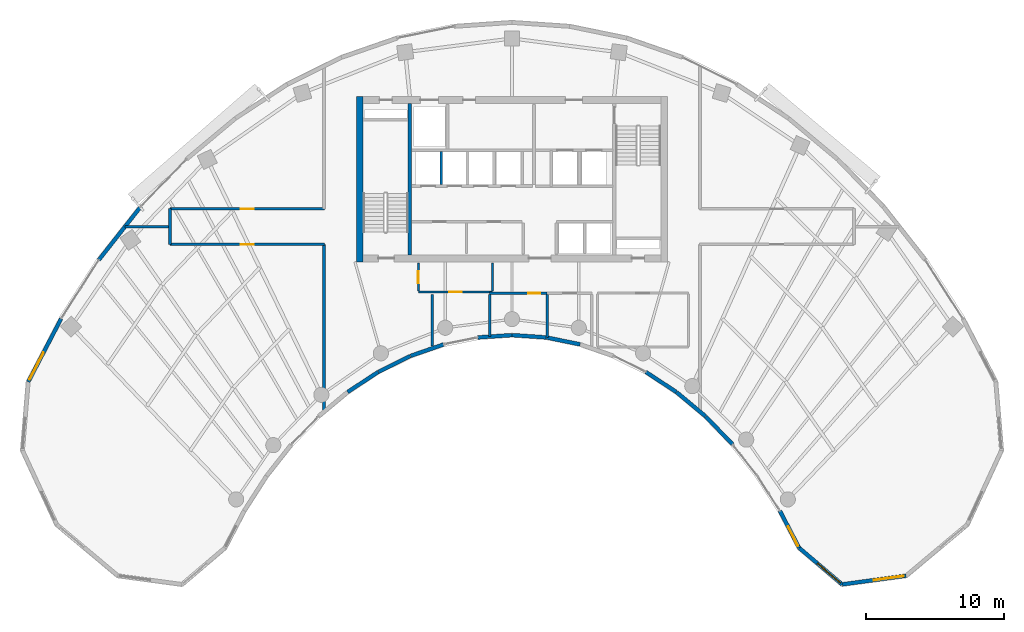
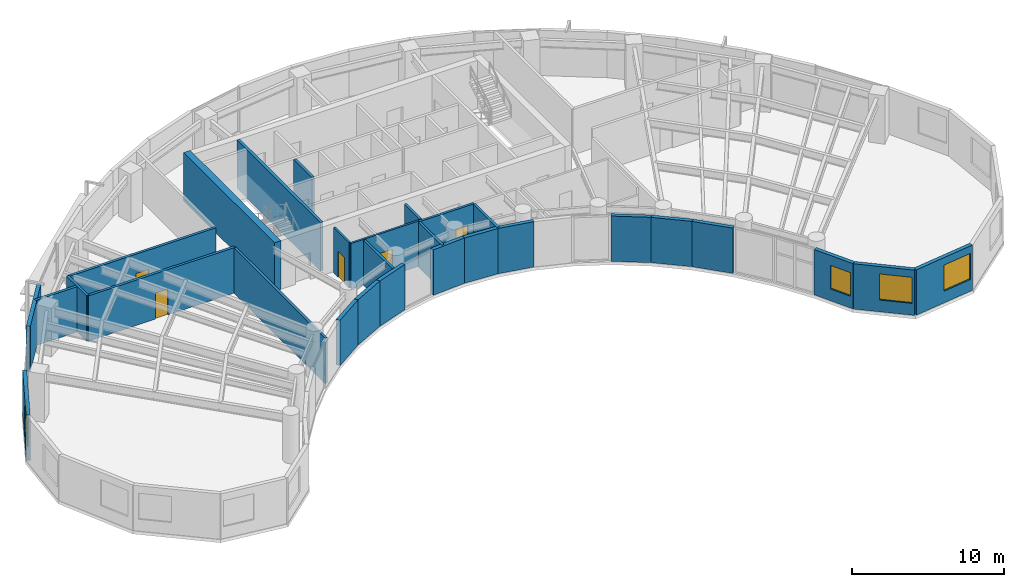
# One storey, part 8 of 13: 29 walls, 5 doors, 4 windows, 9 openings.
"""IFC4 building model written with IfcOpenShell, lengths in metres."""

from ifc_helpers import new_model, si_unit, direction, frame, frame_2d, origin, place, context, subcontext, project, spatial, rectangle, extrude, source, transform, mapped, material, layer, layer_set, type_object, type_shapes, element, fill, save


model = new_model("IFC4")

# Units and contexts
model_context = context("Model", 3, precision=1e-05, world=origin(), true_north=direction((0.0, 1.0)))
body_context = subcontext(model_context, "Body", "Model", "MODEL_VIEW")
ifc_project = project(units=[si_unit("LENGTHUNIT", "METRE"), si_unit("AREAUNIT", "SQUARE_METRE"), si_unit("VOLUMEUNIT", "CUBIC_METRE"), si_unit("PLANEANGLEUNIT", "RADIAN"), si_unit("MASSUNIT", "GRAM", prefix="KILO")], contexts=[model_context])

# Site, building, storey
site_placement = place(None, origin())
site = spatial("IfcSite", under=ifc_project, at=site_placement, CompositionType="ELEMENT")
building_placement = place(site_placement, origin())
building = spatial("IfcBuilding", under=site, at=building_placement, Name="Breltana Convention Tower", CompositionType="ELEMENT")
storey_placement = place(building_placement, frame((0.0, 0.0, 154.5)))
storey = spatial("IfcBuildingStorey", under=building, at=storey_placement, Name="L37", CompositionType="ELEMENT", Elevation=154.5)

# Walls
ifc_material_1 = material(Name="Concrete C60/75", Category="concrete")
ifc_layer_1 = layer(ifc_material_1, 0.5, Name="Concrete C60/75")
ifc_layer_set_1 = layer_set([ifc_layer_1], Name="Concrete C60/75")
wall_type_1 = type_object("IfcWallType", Name="SW-CORE-500", PredefinedType="SHEAR", material=ifc_layer_set_1)
shared_shape_1 = source(origin(), body_context, "Body", "SweptSolid", [
    extrude(rectangle(XDim=12.0, YDim=0.5, at=frame_2d((6.0, 0.0))), origin(), (0.0, 0.0, 1.0), 3.89990234375),
])
wall_1_placement = place(storey_placement, frame((36.949951171875, 60.199951171875, 0.0), z_axis=(0.0, 0.0, 1.0), x_axis=(0.0, 1.0, 0.0)))
element("IfcWall", 1, at=wall_1_placement, inside=storey, type_object=wall_type_1, Name="L37 West Core Shear Wall", PredefinedType="SHEAR", context=body_context, shape_type="MappedRepresentation", body=[
    mapped(shared_shape_1, transform((0.0, 0.0, 0.0), scale=1.0)),
])
ifc_material_2 = material(Name="Concrete C50/60", Category="concrete")
ifc_layer_2 = layer(ifc_material_2, 0.39990234375, Name="Concrete C50/60")
ifc_layer_set_2 = layer_set([ifc_layer_2], Name="Concrete C50/60")
wall_type_2 = type_object("IfcWallType", Name="SW-CORE-400", PredefinedType="SHEAR", material=ifc_layer_set_2)
shared_shape_2 = source(origin(), body_context, "Body", "SweptSolid", [
    extrude(rectangle(XDim=11.0, YDim=0.219970703125, at=frame_2d((5.5, 0.0))), origin(), (0.0, 0.0, 1.0), 3.89990234375),
])
wall_2_placement = place(storey_placement, frame((40.580078125, 60.699951171875, 0.0), z_axis=(0.0, 0.0, 1.0), x_axis=(0.0, 1.0, 0.0)))
element("IfcWall", 2, at=wall_2_placement, inside=storey, type_object=wall_type_2, Name="L37 Core West Stair Spine Wall", PredefinedType="SHEAR", context=body_context, shape_type="MappedRepresentation", body=[
    mapped(shared_shape_2, transform((0.0, 0.0, 0.0), scale=1.0)),
])

# Wall, opening, window
ifc_material_3 = material(Name="Limestone Buff Insulated Wall", Category="masonry")
ifc_layer_3 = layer(ifc_material_3, 0.280029296875, Name="Limestone Buff Insulated Wall")
ifc_layer_set_3 = layer_set([ifc_layer_3], Name="Limestone Buff Insulated Wall")
wall_type_3 = type_object("IfcWallType", Name="WL-EXT-NOSE-280", PredefinedType="SOLIDWALL", material=ifc_layer_set_3)
shared_shape_3 = source(origin(), body_context, "Body", "SweptSolid", [
    extrude(rectangle(XDim=4.680419921875, YDim=0.280029296875, at=frame_2d((2.34033203125, 0.0))), origin(), (0.0, 0.0, 1.0), 3.64990234375),
])
wall_3_placement = place(storey_placement, frame((76.594482421875, 37.41650390625, 0.0), z_axis=(0.0, 0.0, 1.0), x_axis=(-0.990931146435, -0.134370618162, 0.0)))
wall_3 = element("IfcWall", 3, at=wall_3_placement, inside=storey, type_object=wall_type_3, Name="L37 curved limestone nose wall E4", PredefinedType="SOLIDWALL", context=body_context, shape_type="MappedRepresentation", body=[
    mapped(shared_shape_3, transform((0.0, 0.0, 0.0), scale=1.0)),
])
opening_1_placement = place(wall_3_placement, frame((0.159912109375, 0.0, 0.949951171875)))
opening_1 = element("IfcOpeningElement", 4, at=opening_1_placement, cuts=wall_3, Name="Opening W-03", PredefinedType="OPENING", context=body_context, shape_type="SweptSolid", body=[
    extrude(rectangle(XDim=2.199951171875, YDim=2.10009765625, at=frame_2d((1.10009765625, 1.050048828125))), frame((0.0, 0.14990234375, 0.0), z_axis=(0.0, -1.0, 0.0), x_axis=(1.0, 0.0, 0.0)), (0.0, 0.0, 1.0), 0.300048828125),
])
ifc_material_4 = material(Name="Glass Low-E Insulated Window", Category="glass")
window_type_1 = type_object("IfcWindowType", Name="WN-NOSE-2200X2100", PartitioningType="TRIPLE_PANEL_VERTICAL", PredefinedType="WINDOW", material=ifc_material_4)
shared_shape_4 = source(origin(), body_context, "Body", "SweptSolid", [
    extrude(rectangle(XDim=2.199951171875, YDim=2.10009765625, at=frame_2d((1.10009765625, 1.050048828125))), frame((0.0, 0.030029296875, 0.0), z_axis=(0.0, -1.0, 0.0), x_axis=(1.0, 0.0, 0.0)), (0.0, 0.0, 1.0), 0.06005859375),
])
type_shapes(window_type_1, [shared_shape_4])
window_1_placement = place(opening_1_placement, origin())
window_1 = element("IfcWindow", 5, at=window_1_placement, inside=storey, type_object=window_type_1, Name="L37 nose window E4", OverallHeight=2.10009765625, OverallWidth=2.199951171875, PartitioningType="TRIPLE_PANEL_VERTICAL", PredefinedType="WINDOW", context=body_context, shape_type="MappedRepresentation", body=[
    mapped(shared_shape_4, transform((0.0, 0.0, 0.0), scale=1.0)),
])
fill(opening_1, window_1)

shared_shape_5 = source(origin(), body_context, "Body", "SweptSolid", [
    extrude(rectangle(XDim=4.095947265625, YDim=0.280029296875, at=frame_2d((2.0478515625, 0.0))), origin(), (0.0, 0.0, 1.0), 3.64990234375),
])
wall_4_placement = place(storey_placement, frame((71.95654296875, 36.78759765625, 0.0), z_axis=(0.0, 0.0, 1.0), x_axis=(-0.761926081737, 0.647663991564, 0.0)))
wall_4 = element("IfcWall", 6, at=wall_4_placement, inside=storey, type_object=wall_type_3, Name="L37 curved limestone nose wall E5", PredefinedType="SOLIDWALL", context=body_context, shape_type="MappedRepresentation", body=[
    mapped(shared_shape_5, transform((0.0, 0.0, 0.0), scale=1.0)),
])
opening_2_placement = place(wall_4_placement, frame((0.159912109375, 0.0, 0.949951171875)))
opening_2 = element("IfcOpeningElement", 7, at=opening_2_placement, cuts=wall_4, Name="Opening W-03", PredefinedType="OPENING", context=body_context, shape_type="SweptSolid", body=[
    extrude(rectangle(XDim=2.199951171875, YDim=2.10009765625, at=frame_2d((1.10009765625, 1.050048828125))), frame((0.0, 0.14990234375, 0.0), z_axis=(0.0, -1.0, 0.0), x_axis=(1.0, 0.0, 0.0)), (0.0, 0.0, 1.0), 0.300048828125),
])
window_2_placement = place(opening_2_placement, origin())
window_2 = element("IfcWindow", 8, at=window_2_placement, inside=storey, type_object=window_type_1, Name="L37 nose window E5", OverallHeight=2.10009765625, OverallWidth=2.199951171875, PartitioningType="TRIPLE_PANEL_VERTICAL", PredefinedType="WINDOW", context=body_context, shape_type="MappedRepresentation", body=[
    mapped(shared_shape_4, transform((0.0, 0.0, 0.0), scale=1.0)),
])
fill(opening_2, window_2)

shared_shape_6 = source(origin(), body_context, "Body", "SweptSolid", [
    extrude(rectangle(XDim=3.02392578125, YDim=0.280029296875, at=frame_2d((1.511962890625, 0.0))), origin(), (0.0, 0.0, 1.0), 3.64990234375),
])
wall_5_placement = place(storey_placement, frame((68.835693359375, 39.4404296875, 0.0), z_axis=(0.0, 0.0, 1.0), x_axis=(-0.461718746531, 0.887026380161, 0.0)))
wall_5 = element("IfcWall", 9, at=wall_5_placement, inside=storey, type_object=wall_type_3, Name="L37 curved limestone nose wall E6", PredefinedType="SOLIDWALL", context=body_context, shape_type="MappedRepresentation", body=[
    mapped(shared_shape_6, transform((0.0, 0.0, 0.0), scale=1.0)),
])
opening_3_placement = place(wall_5_placement, frame((0.159912109375, 0.0, 0.949951171875)))
opening_3 = element("IfcOpeningElement", 10, at=opening_3_placement, cuts=wall_5, Name="Opening W-04", PredefinedType="OPENING", context=body_context, shape_type="SweptSolid", body=[
    extrude(rectangle(XDim=1.60009765625, YDim=1.89990234375, at=frame_2d((0.800048828125, 0.949951171875))), frame((0.0, 0.14990234375, 0.0), z_axis=(0.0, -1.0, 0.0), x_axis=(1.0, 0.0, 0.0)), (0.0, 0.0, 1.0), 0.300048828125),
])
window_type_2 = type_object("IfcWindowType", Name="WN-NOSE-1600X1900", PartitioningType="SINGLE_PANEL", PredefinedType="WINDOW", material=ifc_material_4)
shared_shape_7 = source(origin(), body_context, "Body", "SweptSolid", [
    extrude(rectangle(XDim=1.60009765625, YDim=1.89990234375, at=frame_2d((0.800048828125, 0.949951171875))), frame((0.0, 0.030029296875, 0.0), z_axis=(0.0, -1.0, 0.0), x_axis=(1.0, 0.0, 0.0)), (0.0, 0.0, 1.0), 0.06005859375),
])
type_shapes(window_type_2, [shared_shape_7])
window_3_placement = place(opening_3_placement, origin())
window_3 = element("IfcWindow", 11, at=window_3_placement, inside=storey, type_object=window_type_2, Name="L37 nose window E6", OverallHeight=1.89990234375, OverallWidth=1.60009765625, PartitioningType="SINGLE_PANEL", PredefinedType="WINDOW", context=body_context, shape_type="MappedRepresentation", body=[
    mapped(shared_shape_7, transform((0.0, 0.0, 0.0), scale=1.0)),
])
fill(opening_3, window_3)

# Walls
shared_shape_8 = source(origin(), body_context, "Body", "SweptSolid", [
    extrude(rectangle(XDim=2.812255859375, YDim=0.280029296875, at=frame_2d((1.40625, 0.0))), origin(), (0.0, 0.0, 1.0), 3.64990234375),
])
wall_6_placement = place(storey_placement, frame((64.00830078125, 46.9501953125, 0.0), z_axis=(0.0, 0.0, 1.0), x_axis=(-0.694583668785, 0.719411931411, 0.0)))
element("IfcWall", 12, at=wall_6_placement, inside=storey, type_object=wall_type_3, Name="L37 curved limestone nose wall E7", PredefinedType="SOLIDWALL", context=body_context, shape_type="MappedRepresentation", body=[
    mapped(shared_shape_8, transform((0.0, 0.0, 0.0), scale=1.0)),
])
shared_shape_9 = source(origin(), body_context, "Body", "SweptSolid", [
    extrude(rectangle(XDim=2.7294921875, YDim=0.280029296875, at=frame_2d((1.36474609375, 0.0))), origin(), (0.0, 0.0, 1.0), 3.64990234375),
])
wall_7_placement = place(storey_placement, frame((62.040771484375, 48.986572265625, 0.0), z_axis=(0.0, 0.0, 1.0), x_axis=(-0.767957284255, 0.640501061326, 0.0)))
element("IfcWall", 13, at=wall_7_placement, inside=storey, type_object=wall_type_3, Name="L37 curved limestone nose wall E8", PredefinedType="SOLIDWALL", context=body_context, shape_type="MappedRepresentation", body=[
    mapped(shared_shape_9, transform((0.0, 0.0, 0.0), scale=1.0)),
])
shared_shape_10 = source(origin(), body_context, "Body", "SweptSolid", [
    extrude(rectangle(XDim=2.58447265625, YDim=0.280029296875, at=frame_2d((1.292236328125, 0.0))), origin(), (0.0, 0.0, 1.0), 3.64990234375),
])
wall_8_placement = place(storey_placement, frame((40.62353515625, 53.361083984375, 0.0), z_axis=(0.0, 0.0, 1.0), x_axis=(-0.895989792847, -0.44407464588, 0.0)))
element("IfcWall", 14, at=wall_8_placement, inside=storey, type_object=wall_type_3, Name="L37 curved limestone nose wall E15", PredefinedType="SOLIDWALL", context=body_context, shape_type="MappedRepresentation", body=[
    mapped(shared_shape_10, transform((0.0, 0.0, 0.0), scale=1.0)),
])
shared_shape_11 = source(origin(), body_context, "Body", "SweptSolid", [
    extrude(rectangle(XDim=2.52978515625, YDim=0.280029296875, at=frame_2d((1.264892578125, 0.0))), origin(), (0.0, 0.0, 1.0), 3.64990234375),
])
wall_9_placement = place(storey_placement, frame((43.034912109375, 54.1982421875, 0.0), z_axis=(0.0, 0.0, 1.0), x_axis=(-0.944872429646, -0.327438683872, 0.0)))
element("IfcWall", 15, at=wall_9_placement, inside=storey, type_object=wall_type_3, Name="L37 curved limestone nose wall E14", PredefinedType="SOLIDWALL", context=body_context, shape_type="MappedRepresentation", body=[
    mapped(shared_shape_11, transform((0.0, 0.0, 0.0), scale=1.0)),
])
shared_shape_12 = source(origin(), body_context, "Body", "SweptSolid", [
    extrude(rectangle(XDim=2.4912109375, YDim=0.280029296875, at=frame_2d((1.24560546875, 0.0))), origin(), (0.0, 0.0, 1.0), 3.64990234375),
])
wall_10_placement = place(storey_placement, frame((52.9423828125, 54.20458984375, 0.0), z_axis=(0.0, 0.0, 1.0), x_axis=(-0.979630885979, 0.200806691214, 0.0)))
element("IfcWall", 16, at=wall_10_placement, inside=storey, type_object=wall_type_3, Name="L37 curved limestone nose wall E11", PredefinedType="SOLIDWALL", context=body_context, shape_type="MappedRepresentation", body=[
    mapped(shared_shape_12, transform((0.0, 0.0, 0.0), scale=1.0)),
])
shared_shape_13 = source(origin(), body_context, "Body", "SweptSolid", [
    extrude(rectangle(XDim=2.471435546875, YDim=0.280029296875, at=frame_2d((1.23583984375, 0.0))), origin(), (0.0, 0.0, 1.0), 3.64990234375),
])
for number, where, z_axis, x_axis, name in (
    (17, (50.47802734375, 54.708251953125, 0.0), (0.0, 0.0, 1.0), (-0.997708006929, 0.067666335123, 0.0), "L37 curved limestone nose wall E12"),
    (18, (47.98779296875, 54.87548828125, 0.0), (0.0, 0.0, 1.0), (-0.997708006929, -0.067666335123, 0.0), "L37 curved limestone nose wall E13"),
):
    element("IfcWall", number, at=place(storey_placement, frame(where, z_axis=z_axis, x_axis=x_axis)), inside=storey, type_object=wall_type_3, Name=name, PredefinedType="SOLIDWALL", context=body_context, shape_type="MappedRepresentation", body=[
        mapped(shared_shape_13, transform((0.0, 0.0, 0.0), scale=1.0)),
    ])
shared_shape_14 = source(origin(), body_context, "Body", "SweptSolid", [
    extrude(rectangle(XDim=2.65234375, YDim=0.280029296875, at=frame_2d((1.326171875, 0.0))), origin(), (0.0, 0.0, 1.0), 3.64990234375),
])
for number, where, z_axis, x_axis, name in (
    (19, (59.92822265625, 50.7470703125, 0.0), (0.0, 0.0, 1.0), (-0.836008323535, 0.54871676025, 0.0), "L37 curved limestone nose wall E9"),
    (20, (38.2890625, 52.202392578125, 0.0), (0.0, 0.0, 1.0), (-0.836008323535, -0.54871676025, 0.0), "L37 curved limestone nose wall E16"),
):
    element("IfcWall", number, at=place(storey_placement, frame(where, z_axis=z_axis, x_axis=x_axis)), inside=storey, type_object=wall_type_3, Name=name, PredefinedType="SOLIDWALL", context=body_context, shape_type="MappedRepresentation", body=[
        mapped(shared_shape_14, transform((0.0, 0.0, 0.0), scale=1.0)),
    ])

# Wall, opening, window
shared_shape_15 = source(origin(), body_context, "Body", "SweptSolid", [
    extrude(rectangle(XDim=5.1708984375, YDim=0.280029296875, at=frame_2d((2.58544921875, 0.0))), origin(), (0.0, 0.0, 1.0), 3.64990234375),
])
wall_11_placement = place(storey_placement, frame((12.897705078125, 51.48876953125, 0.0), z_axis=(0.0, 0.0, 1.0), x_axis=(0.461752581363, 0.887008767491, 0.0)))
wall_11 = element("IfcWall", 21, at=wall_11_placement, inside=storey, type_object=wall_type_3, Name="L37 curved limestone nose wall W7", PredefinedType="SOLIDWALL", context=body_context, shape_type="MappedRepresentation", body=[
    mapped(shared_shape_15, transform((0.0, 0.0, 0.0), scale=1.0)),
])
opening_4_placement = place(wall_11_placement, frame((0.19287109375, 0.0, 0.949951171875)))
opening_4 = element("IfcOpeningElement", 22, at=opening_4_placement, cuts=wall_11, Name="Opening W-03", PredefinedType="OPENING", context=body_context, shape_type="SweptSolid", body=[
    extrude(rectangle(XDim=2.199951171875, YDim=2.10009765625, at=frame_2d((1.10009765625, 1.050048828125))), frame((0.0, 0.14990234375, 0.0), z_axis=(0.0, -1.0, 0.0), x_axis=(1.0, 0.0, 0.0)), (0.0, 0.0, 1.0), 0.300048828125),
])
window_4_placement = place(opening_4_placement, origin())
window_4 = element("IfcWindow", 23, at=window_4_placement, inside=storey, type_object=window_type_1, Name="L37 nose window W7", OverallHeight=2.10009765625, OverallWidth=2.199951171875, PartitioningType="TRIPLE_PANEL_VERTICAL", PredefinedType="WINDOW", context=body_context, shape_type="MappedRepresentation", body=[
    mapped(shared_shape_4, transform((0.0, 0.0, 0.0), scale=1.0)),
])
fill(opening_4, window_4)

# Walls
shared_shape_16 = source(origin(), body_context, "Body", "SweptSolid", [
    extrude(rectangle(XDim=4.921630859375, YDim=0.280029296875, at=frame_2d((2.4609375, 0.0))), origin(), (0.0, 0.0, 1.0), 3.64990234375),
])
wall_12_placement = place(storey_placement, frame((18.021240234375, 60.337646484375, 0.0), z_axis=(0.0, 0.0, 1.0), x_axis=(0.61817639101, 0.786039407153, 0.0)))
element("IfcWall", 24, at=wall_12_placement, inside=storey, type_object=wall_type_3, Name="L37 curved limestone nose wall E20", PredefinedType="SOLIDWALL", context=body_context, shape_type="MappedRepresentation", body=[
    mapped(shared_shape_16, transform((0.0, 0.0, 0.0), scale=1.0)),
])
ifc_material_5 = material(Name="Autoclaved Aerated Concrete Block", Category="concrete")
ifc_layer_4 = layer(ifc_material_5, 0.199951171875, Name="Autoclaved Aerated Concrete Block")
ifc_layer_set_4 = layer_set([ifc_layer_4], Name="Autoclaved Aerated Concrete Block")
wall_type_4 = type_object("IfcWallType", Name="WL-SHAFT-200", PredefinedType="SOLIDWALL", material=ifc_layer_set_4)
shared_shape_17 = source(origin(), body_context, "Body", "SweptSolid", [
    extrude(rectangle(XDim=2.39990234375, YDim=0.199951171875, at=frame_2d((1.199951171875, 0.0))), origin(), (0.0, 0.0, 1.0), 3.64990234375),
])
wall_13_placement = place(storey_placement, frame((42.8701171875, 65.800048828125, 0.0), z_axis=(0.0, 0.0, 1.0), x_axis=(0.0, 1.0, 0.0)))
element("IfcWall", 25, at=wall_13_placement, inside=storey, type_object=wall_type_4, Name="L37 interior partition W-L37-SH-M-DIV1", PredefinedType="SOLIDWALL", context=body_context, shape_type="MappedRepresentation", body=[
    mapped(shared_shape_17, transform((0.0, 0.0, 0.0), scale=1.0)),
])

# Wall, opening, door
ifc_material_6 = material(Name="Moisture-Resistant Gypsum Chase Wall")
ifc_layer_5 = layer(ifc_material_6, 0.179931640625, Name="Moisture-Resistant Gypsum Chase Wall")
ifc_layer_set_5 = layer_set([ifc_layer_5], Name="Moisture-Resistant Gypsum Chase Wall")
wall_type_5 = type_object("IfcWallType", Name="WL-PLUMB-180", PredefinedType="PLUMBINGWALL", material=ifc_layer_set_5)
shared_shape_18 = source(origin(), body_context, "Body", "SweptSolid", [
    extrude(rectangle(XDim=4.176025390625, YDim=0.179931640625, at=frame_2d((2.087890625, 0.0))), origin(), (0.0, 0.0, 1.0), 3.64990234375),
])
wall_14_placement = place(storey_placement, frame((46.3759765625, 57.919921875, 0.0), z_axis=(0.0, 0.0, 1.0), x_axis=(1.0, 0.0, 0.0)))
wall_14 = element("IfcWall", 26, at=wall_14_placement, inside=storey, type_object=wall_type_5, Name="L37 interior partition W-L37-WCF-N", PredefinedType="PLUMBINGWALL", context=body_context, shape_type="MappedRepresentation", body=[
    mapped(shared_shape_18, transform((0.0, 0.0, 0.0), scale=1.0)),
])
opening_5_placement = place(wall_14_placement, frame((2.7880859375, 0.0, 0.0)))
opening_5 = element("IfcOpeningElement", 27, at=opening_5_placement, cuts=wall_14, Name="Opening D-19", PredefinedType="OPENING", context=body_context, shape_type="SweptSolid", body=[
    extrude(rectangle(XDim=0.89990234375, YDim=2.080078125, at=frame_2d((0.449951171875, 1.0400390625))), frame((0.0, 0.10009765625, 0.0), z_axis=(0.0, -1.0, 0.0), x_axis=(1.0, 0.0, 0.0)), (0.0, 0.0, 1.0), 0.199951171875),
])
ifc_material_7 = material(Name="Timber Moisture-Resistant Door", Category="wood")
door_type_1 = type_object("IfcDoorType", Name="DR-WC-900", OperationType="NOTDEFINED", PredefinedType="DOOR", material=ifc_material_7)
shared_shape_19 = source(origin(), body_context, "Body", "SweptSolid", [
    extrude(rectangle(XDim=0.89990234375, YDim=2.080078125, at=frame_2d((0.449951171875, 1.0400390625))), frame((0.0, 0.02490234375, 0.0), z_axis=(0.0, -1.0, 0.0), x_axis=(1.0, 0.0, 0.0)), (0.0, 0.0, 1.0), 0.050048828125),
])
type_shapes(door_type_1, [shared_shape_19])
door_1_placement = place(opening_5_placement, origin())
door_1 = element("IfcDoor", 28, at=door_1_placement, inside=storey, type_object=door_type_1, Name="L37 interior door D-L37-WCF", OperationType="SINGLE_SWING_RIGHT", OverallHeight=2.080078125, OverallWidth=0.89990234375, PredefinedType="DOOR", context=body_context, shape_type="MappedRepresentation", body=[
    mapped(shared_shape_19, transform((0.0, 0.0, 0.0), scale=1.0)),
])
fill(opening_5, door_1)

# Walls
ifc_material_8 = material(Name="Cement Board Wet-Area Partition")
ifc_layer_6 = layer(ifc_material_8, 0.175048828125, Name="Cement Board Wet-Area Partition")
ifc_layer_set_6 = layer_set([ifc_layer_6], Name="Cement Board Wet-Area Partition")
wall_type_6 = type_object("IfcWallType", Name="WL-WET-175", PredefinedType="PARTITIONING", material=ifc_layer_set_6)
shared_shape_20 = source(origin(), body_context, "Body", "SweptSolid", [
    extrude(rectangle(XDim=3.7626953125, YDim=0.175048828125, at=frame_2d((1.88134765625, 0.0))), origin(), (0.0, 0.0, 1.0), 3.64990234375),
])
wall_15_placement = place(storey_placement, frame((42.199951171875, 54.07861328125, 0.0), z_axis=(0.0, 0.0, 1.0), x_axis=(0.0, 1.0, 0.0)))
element("IfcWall", 29, at=wall_15_placement, inside=storey, type_object=wall_type_6, Name="L37 interior partition W-L37-WCM-W", PredefinedType="PARTITIONING", context=body_context, shape_type="MappedRepresentation", body=[
    mapped(shared_shape_20, transform((0.0, 0.0, 0.0), scale=1.0)),
])
ifc_material_9 = material(Name="Gypsum Acoustic Hotel Wall")
ifc_layer_7 = layer(ifc_material_9, 0.195068359375, Name="Gypsum Acoustic Hotel Wall")
ifc_layer_set_7 = layer_set([ifc_layer_7], Name="Gypsum Acoustic Hotel Wall")
wall_type_7 = type_object("IfcWallType", Name="WL-HOTEL-200", PredefinedType="PARTITIONING", material=ifc_layer_set_7)
shared_shape_21 = source(origin(), body_context, "Body", "SweptSolid", [
    extrude(rectangle(XDim=2.6201171875, YDim=0.195068359375, at=frame_2d((1.31005859375, 0.0))), origin(), (0.0, 0.0, 1.0), 3.64990234375),
])
wall_16_placement = place(storey_placement, frame((23.179931640625, 61.43994140625, 0.0), z_axis=(0.0, 0.0, 1.0), x_axis=(0.0, 1.0, 0.0)))
element("IfcWall", 30, at=wall_16_placement, inside=storey, type_object=wall_type_7, Name="L37 interior partition W-L37-ZFW-CAP", PredefinedType="PARTITIONING", context=body_context, shape_type="MappedRepresentation", body=[
    mapped(shared_shape_21, transform((0.0, 0.0, 0.0), scale=1.0)),
])

# Wall, opening, door
ifc_material_10 = material(Name="Gypsum Acoustic Drywall Partition")
ifc_layer_8 = layer(ifc_material_10, 0.14990234375, Name="Gypsum Acoustic Drywall Partition")
ifc_layer_set_8 = layer_set([ifc_layer_8], Name="Gypsum Acoustic Drywall Partition")
wall_type_8 = type_object("IfcWallType", Name="WL-PART-150", PredefinedType="PARTITIONING", material=ifc_layer_set_8)
shared_shape_22 = source(origin(), body_context, "Body", "SweptSolid", [
    extrude(rectangle(XDim=5.400146484375, YDim=0.14990234375, at=frame_2d((2.7001953125, 0.0))), origin(), (0.0, 0.0, 1.0), 3.64990234375),
])
wall_17_placement = place(storey_placement, frame((41.199951171875, 58.0, 0.0), z_axis=(0.0, 0.0, 1.0), x_axis=(1.0, 0.0, 0.0)))
wall_17 = element("IfcWall", 31, at=wall_17_placement, inside=storey, type_object=wall_type_8, Name="L37 interior partition W-L37-CRSC-S", PredefinedType="PARTITIONING", context=body_context, shape_type="MappedRepresentation", body=[
    mapped(shared_shape_22, transform((0.0, 0.0, 0.0), scale=1.0)),
])
opening_6_placement = place(wall_17_placement, frame((2.25, 0.0, 0.0)))
opening_6 = element("IfcOpeningElement", 32, at=opening_6_placement, cuts=wall_17, Name="Opening D-19", PredefinedType="OPENING", context=body_context, shape_type="SweptSolid", body=[
    extrude(rectangle(XDim=0.89990234375, YDim=2.080078125, at=frame_2d((0.449951171875, 1.0400390625))), frame((0.0, 0.0849609375, 0.0), z_axis=(0.0, -1.0, 0.0), x_axis=(1.0, 0.0, 0.0)), (0.0, 0.0, 1.0), 0.169921875),
])
door_2_placement = place(opening_6_placement, origin())
door_2 = element("IfcDoor", 33, at=door_2_placement, inside=storey, type_object=door_type_1, Name="L37 interior door D-L37-WCM", OperationType="SINGLE_SWING_LEFT", OverallHeight=2.080078125, OverallWidth=0.89990234375, PredefinedType="DOOR", context=body_context, shape_type="MappedRepresentation", body=[
    mapped(shared_shape_19, transform((0.0, 0.0, 0.0), scale=1.0)),
])
fill(opening_6, door_2)

shared_shape_23 = source(origin(), body_context, "Body", "SweptSolid", [
    extrude(rectangle(XDim=2.03271484375, YDim=0.14990234375, at=frame_2d((1.016357421875, 0.0))), origin(), (0.0, 0.0, 1.0), 3.64990234375),
])
wall_18_placement = place(storey_placement, frame((41.199951171875, 58.0673828125, 0.0), z_axis=(0.0, 0.0, 1.0), x_axis=(0.0, 1.0, 0.0)))
wall_18 = element("IfcWall", 34, at=wall_18_placement, inside=storey, type_object=wall_type_8, Name="L37 interior partition W-L37-CRSC-W", PredefinedType="PARTITIONING", context=body_context, shape_type="MappedRepresentation", body=[
    mapped(shared_shape_23, transform((0.0, 0.0, 0.0), scale=1.0)),
])
opening_7_placement = place(wall_18_placement, frame((0.59130859375, 0.0, 0.0)))
opening_7 = element("IfcOpeningElement", 35, at=opening_7_placement, cuts=wall_18, Name="Opening D-20", PredefinedType="OPENING", context=body_context, shape_type="SweptSolid", body=[
    extrude(rectangle(XDim=0.85009765625, YDim=2.10009765625, at=frame_2d((0.425048828125, 1.050048828125))), frame((0.0, 0.0849609375, 0.0), z_axis=(0.0, -1.0, 0.0), x_axis=(1.0, 0.0, 0.0)), (0.0, 0.0, 1.0), 0.169921875),
])
ifc_material_11 = material(Name="Steel Closet Fire Door", Category="steel")
door_type_2 = type_object("IfcDoorType", Name="DR-FD60-850", OperationType="NOTDEFINED", PredefinedType="DOOR", material=ifc_material_11)
shared_shape_24 = source(origin(), body_context, "Body", "SweptSolid", [
    extrude(rectangle(XDim=0.85009765625, YDim=2.10009765625, at=frame_2d((0.425048828125, 1.050048828125))), frame((0.0, 0.02490234375, 0.0), z_axis=(0.0, -1.0, 0.0), x_axis=(1.0, 0.0, 0.0)), (0.0, 0.0, 1.0), 0.050048828125),
])
type_shapes(door_type_2, [shared_shape_24])
door_3_placement = place(opening_7_placement, origin())
door_3 = element("IfcDoor", 36, at=door_3_placement, inside=storey, type_object=door_type_2, Name="L37 interior door D-L37-CRSC", OperationType="SINGLE_SWING_RIGHT", OverallHeight=2.10009765625, OverallWidth=0.85009765625, PredefinedType="DOOR", context=body_context, shape_type="MappedRepresentation", body=[
    mapped(shared_shape_24, transform((0.0, 0.0, 0.0), scale=1.0)),
])
fill(opening_7, door_3)

# Walls
wall_19_placement = place(storey_placement, frame((46.60009765625, 58.0673828125, 0.0), z_axis=(0.0, 0.0, 1.0), x_axis=(0.0, 1.0, 0.0)))
element("IfcWall", 37, at=wall_19_placement, inside=storey, type_object=wall_type_8, Name="L37 interior partition W-L37-CRSC-E", PredefinedType="PARTITIONING", context=body_context, shape_type="MappedRepresentation", body=[
    mapped(shared_shape_23, transform((0.0, 0.0, 0.0), scale=1.0)),
])
shared_shape_25 = source(origin(), body_context, "Body", "SweptSolid", [
    extrude(rectangle(XDim=3.065185546875, YDim=0.175048828125, at=frame_2d((1.53271484375, 0.0))), origin(), (0.0, 0.0, 1.0), 3.64990234375),
])
wall_20_placement = place(storey_placement, frame((46.3759765625, 54.776123046875, 0.0), z_axis=(0.0, 0.0, 1.0), x_axis=(0.0, 1.0, 0.0)))
element("IfcWall", 38, at=wall_20_placement, inside=storey, type_object=wall_type_6, Name="L37 interior partition W-L37-WCM-E", PredefinedType="PARTITIONING", context=body_context, shape_type="MappedRepresentation", body=[
    mapped(shared_shape_25, transform((0.0, 0.0, 0.0), scale=1.0)),
])
shared_shape_26 = source(origin(), body_context, "Body", "SweptSolid", [
    extrude(rectangle(XDim=3.136474609375, YDim=0.175048828125, at=frame_2d((1.568359375, 0.0))), origin(), (0.0, 0.0, 1.0), 3.64990234375),
])
wall_21_placement = place(storey_placement, frame((50.552001953125, 54.704833984375, 0.0), z_axis=(0.0, 0.0, 1.0), x_axis=(0.0, 1.0, 0.0)))
element("IfcWall", 39, at=wall_21_placement, inside=storey, type_object=wall_type_6, Name="L37 interior partition W-L37-WCF-E", PredefinedType="PARTITIONING", context=body_context, shape_type="MappedRepresentation", body=[
    mapped(shared_shape_26, transform((0.0, 0.0, 0.0), scale=1.0)),
])

# Wall, opening, door
shared_shape_27 = source(origin(), body_context, "Body", "SweptSolid", [
    extrude(rectangle(XDim=11.219970703125, YDim=0.195068359375, at=frame_2d((5.60986328125, 0.0))), origin(), (0.0, 0.0, 1.0), 3.64990234375),
])
wall_22_placement = place(storey_placement, frame((23.179931640625, 64.0400390625, 0.0), z_axis=(0.0, 0.0, 1.0), x_axis=(1.0, 0.0, 0.0)))
wall_22 = element("IfcWall", 40, at=wall_22_placement, inside=storey, type_object=wall_type_7, Name="L37 interior partition W-L37-ZWN1-D", PredefinedType="PARTITIONING", context=body_context, shape_type="MappedRepresentation", body=[
    mapped(shared_shape_27, transform((0.0, 0.0, 0.0), scale=1.0)),
])
opening_8_placement = place(wall_22_placement, frame((5.135009765625, 0.0, 0.0)))
opening_8 = element("IfcOpeningElement", 41, at=opening_8_placement, cuts=wall_22, Name="Opening D-17", PredefinedType="OPENING", context=body_context, shape_type="SweptSolid", body=[
    extrude(rectangle(XDim=0.949951171875, YDim=2.10009765625, at=frame_2d((0.47509765625, 1.050048828125))), frame((0.0, 0.107421875, 0.0), z_axis=(0.0, -1.0, 0.0), x_axis=(1.0, 0.0, 0.0)), (0.0, 0.0, 1.0), 0.215087890625),
])
ifc_material_12 = material(Name="Timber Oak Veneer Door", Category="wood")
door_type_3 = type_object("IfcDoorType", Name="DR-INT-950", OperationType="NOTDEFINED", PredefinedType="DOOR", material=ifc_material_12)
shared_shape_28 = source(origin(), body_context, "Body", "SweptSolid", [
    extrude(rectangle(XDim=0.949951171875, YDim=2.10009765625, at=frame_2d((0.47509765625, 1.050048828125))), frame((0.0, 0.02490234375, 0.0), z_axis=(0.0, -1.0, 0.0), x_axis=(1.0, 0.0, 0.0)), (0.0, 0.0, 1.0), 0.050048828125),
])
type_shapes(door_type_3, [shared_shape_28])
door_4_placement = place(opening_8_placement, origin())
door_4 = element("IfcDoor", 42, at=door_4_placement, inside=storey, type_object=door_type_3, Name="L37 interior door D-L37-ZWN1", OperationType="SINGLE_SWING_LEFT", OverallHeight=2.10009765625, OverallWidth=0.949951171875, PredefinedType="DOOR", context=body_context, shape_type="MappedRepresentation", body=[
    mapped(shared_shape_28, transform((0.0, 0.0, 0.0), scale=1.0)),
])
fill(opening_8, door_4)

wall_23_placement = place(storey_placement, frame((23.179931640625, 61.4599609375, 0.0), z_axis=(0.0, 0.0, 1.0), x_axis=(1.0, 0.0, 0.0)))
wall_23 = element("IfcWall", 43, at=wall_23_placement, inside=storey, type_object=wall_type_7, Name="L37 interior partition W-L37-ZWS1-D", PredefinedType="PARTITIONING", context=body_context, shape_type="MappedRepresentation", body=[
    mapped(shared_shape_27, transform((0.0, 0.0, 0.0), scale=1.0)),
])
opening_9_placement = place(wall_23_placement, frame((5.135009765625, 0.0, 0.0)))
opening_9 = element("IfcOpeningElement", 44, at=opening_9_placement, cuts=wall_23, Name="Opening D-17", PredefinedType="OPENING", context=body_context, shape_type="SweptSolid", body=[
    extrude(rectangle(XDim=0.949951171875, YDim=2.10009765625, at=frame_2d((0.47509765625, 1.050048828125))), frame((0.0, 0.107421875, 0.0), z_axis=(0.0, -1.0, 0.0), x_axis=(1.0, 0.0, 0.0)), (0.0, 0.0, 1.0), 0.215087890625),
])
door_5_placement = place(opening_9_placement, origin())
door_5 = element("IfcDoor", 45, at=door_5_placement, inside=storey, type_object=door_type_3, Name="L37 interior door D-L37-ZWS1", OperationType="SINGLE_SWING_RIGHT", OverallHeight=2.10009765625, OverallWidth=0.949951171875, PredefinedType="DOOR", context=body_context, shape_type="MappedRepresentation", body=[
    mapped(shared_shape_28, transform((0.0, 0.0, 0.0), scale=1.0)),
])
fill(opening_9, door_5)

# Walls
shared_shape_29 = source(origin(), body_context, "Body", "SweptSolid", [
    extrude(rectangle(XDim=12.126220703125, YDim=0.195068359375, at=frame_2d((6.06298828125, 0.0))), origin(), (0.0, 0.0, 1.0), 3.64990234375),
])
wall_24_placement = place(storey_placement, frame((34.360107421875, 49.333740234375, 0.0), z_axis=(0.0, 0.0, 1.0), x_axis=(0.0, 1.0, 0.0)))
element("IfcWall", 46, at=wall_24_placement, inside=storey, type_object=wall_type_7, Name="L37 interior partition W-L37-ZODD-WC", PredefinedType="PARTITIONING", context=body_context, shape_type="MappedRepresentation", body=[
    mapped(shared_shape_29, transform((0.0, 0.0, 0.0), scale=1.0)),
])
shared_shape_30 = source(origin(), body_context, "Body", "SweptSolid", [
    extrude(rectangle(XDim=3.248779296875, YDim=0.195068359375, at=frame_2d((1.62451171875, 0.0))), origin(), (0.0, 0.0, 1.0), 3.64990234375),
])
wall_25_placement = place(storey_placement, frame((19.93115234375, 62.75, 0.0), z_axis=(0.0, 0.0, 1.0), x_axis=(1.0, 0.0, 0.0)))
element("IfcWall", 47, at=wall_25_placement, inside=storey, type_object=wall_type_7, Name="L37 interior partition W-L37-ZFW-EXT", PredefinedType="PARTITIONING", context=body_context, shape_type="MappedRepresentation", body=[
    mapped(shared_shape_30, transform((0.0, 0.0, 0.0), scale=1.0)),
])

save(model, "model.ifc")
